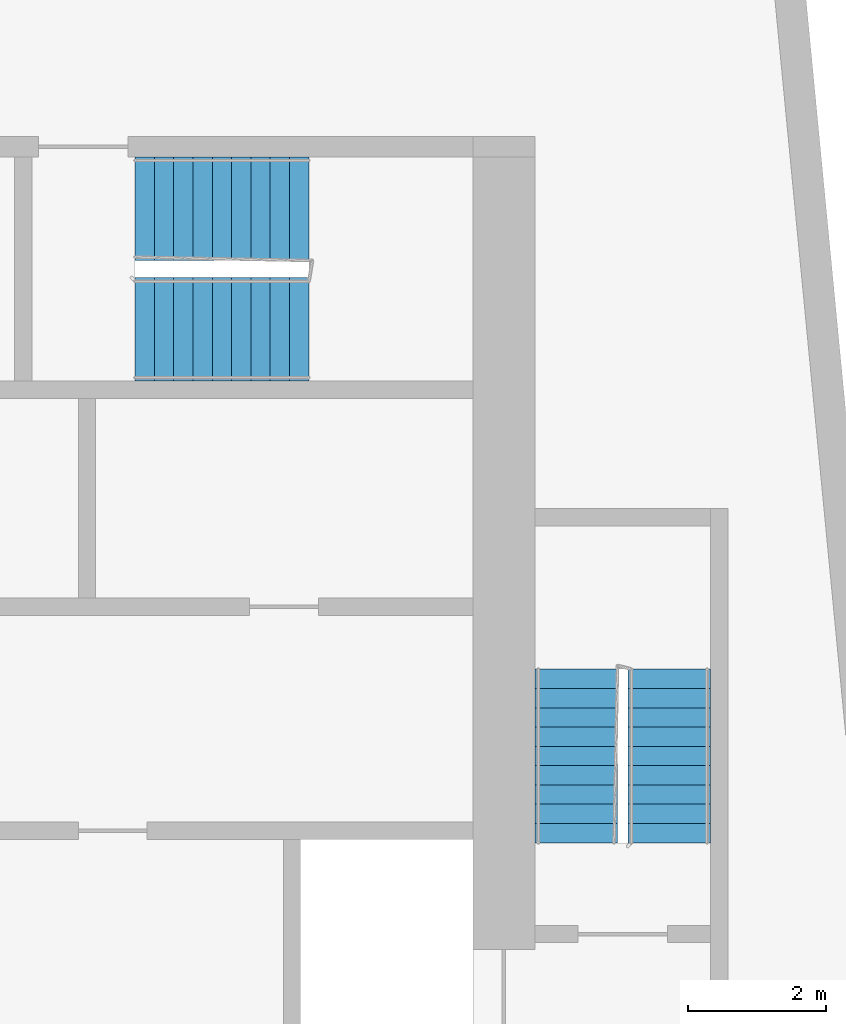
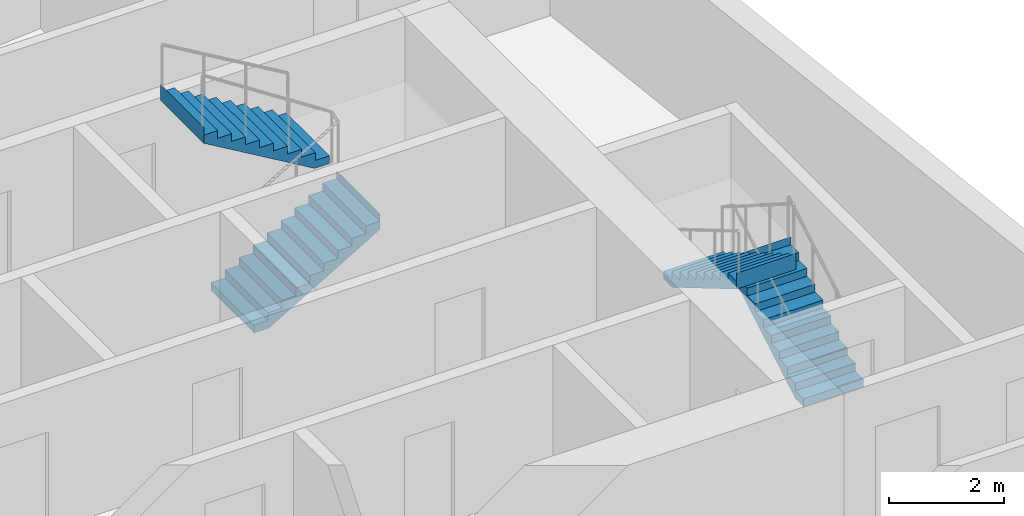
# One storey, part 11 of 12: 4 stair flights, 2 elements without a shape of their own.
"""IFC4 building model written with IfcOpenShell, lengths in metres."""

from ifc_helpers import new_model, si_unit, direction, frame, origin, place, context, subcontext, project, spatial, faceted_brep, material, type_object, element, aggregate, save


model = new_model("IFC4")

# Units and contexts
model_context = context("Model", 3, precision=1e-05, world=origin(), true_north=direction((0.0, 1.0)))
body_context = subcontext(model_context, "Body", "Model", "MODEL_VIEW")
ifc_project = project(units=[si_unit("LENGTHUNIT", "METRE"), si_unit("AREAUNIT", "SQUARE_METRE"), si_unit("VOLUMEUNIT", "CUBIC_METRE"), si_unit("PLANEANGLEUNIT", "RADIAN"), si_unit("MASSUNIT", "GRAM", prefix="KILO")], contexts=[model_context])

# Site, building, storey
site_placement = place(None, origin())
site = spatial("IfcSite", under=ifc_project, at=site_placement, CompositionType="ELEMENT")
building_placement = place(site_placement, origin())
building = spatial("IfcBuilding", under=site, at=building_placement, Name="Kajstack Hotel Tower", CompositionType="ELEMENT")
storey_placement = place(building_placement, frame((0.0, 0.0, 301.5)))
storey = spatial("IfcBuildingStorey", under=building, at=storey_placement, Name="L76", CompositionType="ELEMENT", Elevation=301.5)

# Stair, stair flights
ifc_material = material(Name="Concrete C40/50", Category="concrete")
stair_type_1 = type_object("IfcStairType", Name="Exit stair 1200", PredefinedType="HALF_TURN_STAIR", material=ifc_material)
stair_1_placement = place(storey_placement, origin())
stair_1 = element("IfcStair", 1, at=stair_1_placement, inside=storey, type_object=stair_type_1, Name="L76 stair E1", PredefinedType="HALF_TURN_STAIR")
stair_flight_type_1 = type_object("IfcStairFlightType", Name="Exit stair flight 1200", PredefinedType="STRAIGHT", material=ifc_material)
stair_flight_1_placement = place(storey_placement, frame((33.449951171875, 5.25, 0.0), z_axis=(0.0, 0.0, 1.0), x_axis=(0.0, 1.0, 0.0)))
stair_flight_1 = element("IfcStairFlight", 2, at=stair_flight_1_placement, type_object=stair_flight_type_1, Name="E1 flight 1", NumberOfRisers=10, NumberOfTreads=9, PredefinedType="STRAIGHT", RiserHeight=0.165, TreadLength=0.28, context=body_context, shape_type="Brep", body=[
    faceted_brep([(0.295654296875, -0.60009765625, 0.0), (2.5205078125, -0.60009765625, 1.31103515625), (2.5205078125, -0.60009765625, 1.64990234375), (2.52001953125, -0.60009765625, 1.64990234375), (2.52001953125, -0.60009765625, 1.485107421875), (2.239990234375, -0.60009765625, 1.485107421875), (2.239990234375, -0.60009765625, 1.320068359375), (1.9599609375, -0.60009765625, 1.320068359375), (1.9599609375, -0.60009765625, 1.155029296875), (1.679931640625, -0.60009765625, 1.155029296875), (1.679931640625, -0.60009765625, 0.989990234375), (1.39990234375, -0.60009765625, 0.989990234375), (1.39990234375, -0.60009765625, 0.824951171875), (1.1201171875, -0.60009765625, 0.824951171875), (1.1201171875, -0.60009765625, 0.659912109375), (0.840087890625, -0.60009765625, 0.659912109375), (0.840087890625, -0.60009765625, 0.4951171875), (0.56005859375, -0.60009765625, 0.4951171875), (0.56005859375, -0.60009765625, 0.330078125), (0.280029296875, -0.60009765625, 0.330078125), (0.280029296875, -0.60009765625, 0.1650390625), (-0.00048828125, -0.60009765625, 0.1650390625), (-0.00048828125, -0.60009765625, 0.0), (-0.00048828125, 0.60009765625, 0.0), (-0.00048828125, 0.60009765625, 0.1650390625), (0.280029296875, 0.60009765625, 0.1650390625), (0.280029296875, 0.60009765625, 0.330078125), (0.56005859375, 0.60009765625, 0.330078125), (0.56005859375, 0.60009765625, 0.4951171875), (0.840087890625, 0.60009765625, 0.4951171875), (0.840087890625, 0.60009765625, 0.659912109375), (1.1201171875, 0.60009765625, 0.659912109375), (1.1201171875, 0.60009765625, 0.824951171875), (1.39990234375, 0.60009765625, 0.824951171875), (1.39990234375, 0.60009765625, 0.989990234375), (1.679931640625, 0.60009765625, 0.989990234375), (1.679931640625, 0.60009765625, 1.155029296875), (1.9599609375, 0.60009765625, 1.155029296875), (1.9599609375, 0.60009765625, 1.320068359375), (2.239990234375, 0.60009765625, 1.320068359375), (2.239990234375, 0.60009765625, 1.485107421875), (2.52001953125, 0.60009765625, 1.485107421875), (2.52001953125, 0.60009765625, 1.64990234375), (2.5205078125, 0.60009765625, 1.64990234375), (2.5205078125, 0.60009765625, 1.31103515625), (0.295654296875, 0.60009765625, 0.0), (-0.00048828125, -0.300048828125, 0.1650390625), (-0.00048828125, 0.0, 0.1650390625), (-0.00048828125, 0.300048828125, 0.1650390625), (-0.00048828125, 0.300048828125, 0.0), (-0.00048828125, 0.0, 0.0), (-0.00048828125, -0.300048828125, 0.0), (0.280029296875, -0.300048828125, 0.1650390625), (0.280029296875, 0.0, 0.1650390625), (0.280029296875, 0.300048828125, 0.1650390625), (0.280029296875, -0.300048828125, 0.330078125), (0.280029296875, 0.0, 0.330078125), (0.280029296875, 0.300048828125, 0.330078125), (0.56005859375, -0.300048828125, 0.330078125), (0.56005859375, 0.0, 0.330078125), (0.56005859375, 0.300048828125, 0.330078125), (0.56005859375, -0.300048828125, 0.4951171875), (0.56005859375, 0.0, 0.4951171875), (0.56005859375, 0.300048828125, 0.4951171875), (0.840087890625, -0.300048828125, 0.4951171875), (0.840087890625, 0.0, 0.4951171875), (0.840087890625, 0.300048828125, 0.4951171875), (0.840087890625, -0.300048828125, 0.659912109375), (0.840087890625, 0.0, 0.659912109375), (0.840087890625, 0.300048828125, 0.659912109375), (1.1201171875, -0.300048828125, 0.659912109375), (1.1201171875, 0.0, 0.659912109375), (1.1201171875, 0.300048828125, 0.659912109375), (1.1201171875, -0.300048828125, 0.824951171875), (1.1201171875, 0.0, 0.824951171875), (1.1201171875, 0.300048828125, 0.824951171875), (1.39990234375, -0.300048828125, 0.824951171875), (1.39990234375, 0.0, 0.824951171875), (1.39990234375, 0.300048828125, 0.824951171875), (1.39990234375, -0.300048828125, 0.989990234375), (1.39990234375, 0.0, 0.989990234375), (1.39990234375, 0.300048828125, 0.989990234375), (1.679931640625, -0.300048828125, 0.989990234375), (1.679931640625, 0.0, 0.989990234375), (1.679931640625, 0.300048828125, 0.989990234375), (1.679931640625, -0.300048828125, 1.155029296875), (1.679931640625, 0.0, 1.155029296875), (1.679931640625, 0.300048828125, 1.155029296875), (1.9599609375, -0.300048828125, 1.155029296875), (1.9599609375, 0.0, 1.155029296875), (1.9599609375, 0.300048828125, 1.155029296875), (1.9599609375, -0.300048828125, 1.320068359375), (1.9599609375, 0.0, 1.320068359375), (1.9599609375, 0.300048828125, 1.320068359375), (2.239990234375, -0.300048828125, 1.320068359375), (2.239990234375, 0.0, 1.320068359375), (2.239990234375, 0.300048828125, 1.320068359375), (2.239990234375, -0.300048828125, 1.485107421875), (2.239990234375, 0.0, 1.485107421875), (2.239990234375, 0.300048828125, 1.485107421875), (2.52001953125, -0.300048828125, 1.485107421875), (2.52001953125, 0.0, 1.485107421875), (2.52001953125, 0.300048828125, 1.485107421875), (2.52001953125, -0.300048828125, 1.64990234375), (2.52001953125, 0.0, 1.64990234375), (2.52001953125, 0.300048828125, 1.64990234375), (2.5205078125, -0.300048828125, 1.64990234375), (2.5205078125, 0.0, 1.64990234375), (2.5205078125, 0.300048828125, 1.64990234375), (2.5205078125, -0.300048828125, 1.31103515625), (2.5205078125, 0.0, 1.31103515625), (2.5205078125, 0.300048828125, 1.31103515625), (0.295654296875, -0.300048828125, 0.0), (0.295654296875, 0.0, 0.0), (0.295654296875, 0.300048828125, 0.0)], [[[0, 1, 2, 3, 4, 5, 6, 7, 8, 9, 10, 11, 12, 13, 14, 15, 16, 17, 18, 19, 20, 21, 22]], [[23, 24, 25, 26, 27, 28, 29, 30, 31, 32, 33, 34, 35, 36, 37, 38, 39, 40, 41, 42, 43, 44, 45]], [[21, 46, 47, 48, 24, 23, 49, 50, 51, 22]], [[20, 52, 53, 54, 25, 24, 48, 47, 46, 21]], [[19, 55, 56, 57, 26, 25, 54, 53, 52, 20]], [[18, 58, 59, 60, 27, 26, 57, 56, 55, 19]], [[17, 61, 62, 63, 28, 27, 60, 59, 58, 18]], [[16, 64, 65, 66, 29, 28, 63, 62, 61, 17]], [[15, 67, 68, 69, 30, 29, 66, 65, 64, 16]], [[14, 70, 71, 72, 31, 30, 69, 68, 67, 15]], [[13, 73, 74, 75, 32, 31, 72, 71, 70, 14]], [[12, 76, 77, 78, 33, 32, 75, 74, 73, 13]], [[11, 79, 80, 81, 34, 33, 78, 77, 76, 12]], [[10, 82, 83, 84, 35, 34, 81, 80, 79, 11]], [[9, 85, 86, 87, 36, 35, 84, 83, 82, 10]], [[8, 88, 89, 90, 37, 36, 87, 86, 85, 9]], [[7, 91, 92, 93, 38, 37, 90, 89, 88, 8]], [[6, 94, 95, 96, 39, 38, 93, 92, 91, 7]], [[5, 97, 98, 99, 40, 39, 96, 95, 94, 6]], [[4, 100, 101, 102, 41, 40, 99, 98, 97, 5]], [[3, 103, 104, 105, 42, 41, 102, 101, 100, 4]], [[2, 106, 107, 108, 43, 42, 105, 104, 103, 3]], [[1, 109, 110, 111, 44, 43, 108, 107, 106, 2]], [[0, 112, 113, 114, 45, 44, 111, 110, 109, 1]], [[22, 51, 50, 49, 23, 45, 114, 113, 112, 0]]]),
])
stair_flight_2_placement = place(storey_placement, frame((32.10009765625, 7.77001953125, 1.64990234375), z_axis=(0.0, 0.0, 1.0), x_axis=(0.0, -1.0, 0.0)))
stair_flight_2 = element("IfcStairFlight", 3, at=stair_flight_2_placement, type_object=stair_flight_type_1, Name="E1 flight 2", NumberOfRisers=10, NumberOfTreads=9, PredefinedType="STRAIGHT", RiserHeight=0.165, TreadLength=0.28, context=body_context, shape_type="Brep", body=[
    faceted_brep([(0.295654296875, -0.60009765625, 0.0), (2.5205078125, -0.60009765625, 1.31103515625), (2.5205078125, -0.60009765625, 1.64990234375), (2.52001953125, -0.60009765625, 1.64990234375), (2.52001953125, -0.60009765625, 1.485107421875), (2.239990234375, -0.60009765625, 1.485107421875), (2.239990234375, -0.60009765625, 1.320068359375), (1.9599609375, -0.60009765625, 1.320068359375), (1.9599609375, -0.60009765625, 1.155029296875), (1.679931640625, -0.60009765625, 1.155029296875), (1.679931640625, -0.60009765625, 0.989990234375), (1.39990234375, -0.60009765625, 0.989990234375), (1.39990234375, -0.60009765625, 0.824951171875), (1.1201171875, -0.60009765625, 0.824951171875), (1.1201171875, -0.60009765625, 0.659912109375), (0.840087890625, -0.60009765625, 0.659912109375), (0.840087890625, -0.60009765625, 0.4951171875), (0.56005859375, -0.60009765625, 0.4951171875), (0.56005859375, -0.60009765625, 0.330078125), (0.280029296875, -0.60009765625, 0.330078125), (0.280029296875, -0.60009765625, 0.1650390625), (-0.00048828125, -0.60009765625, 0.1650390625), (-0.00048828125, -0.60009765625, 0.0), (-0.00048828125, 0.60009765625, 0.0), (-0.00048828125, 0.60009765625, 0.1650390625), (0.280029296875, 0.60009765625, 0.1650390625), (0.280029296875, 0.60009765625, 0.330078125), (0.56005859375, 0.60009765625, 0.330078125), (0.56005859375, 0.60009765625, 0.4951171875), (0.840087890625, 0.60009765625, 0.4951171875), (0.840087890625, 0.60009765625, 0.659912109375), (1.1201171875, 0.60009765625, 0.659912109375), (1.1201171875, 0.60009765625, 0.824951171875), (1.39990234375, 0.60009765625, 0.824951171875), (1.39990234375, 0.60009765625, 0.989990234375), (1.679931640625, 0.60009765625, 0.989990234375), (1.679931640625, 0.60009765625, 1.155029296875), (1.9599609375, 0.60009765625, 1.155029296875), (1.9599609375, 0.60009765625, 1.320068359375), (2.239990234375, 0.60009765625, 1.320068359375), (2.239990234375, 0.60009765625, 1.485107421875), (2.52001953125, 0.60009765625, 1.485107421875), (2.52001953125, 0.60009765625, 1.64990234375), (2.5205078125, 0.60009765625, 1.64990234375), (2.5205078125, 0.60009765625, 1.31103515625), (0.295654296875, 0.60009765625, 0.0), (-0.00048828125, -0.300048828125, 0.1650390625), (-0.00048828125, 0.0, 0.1650390625), (-0.00048828125, 0.300048828125, 0.1650390625), (-0.00048828125, 0.300048828125, 0.0), (-0.00048828125, 0.0, 0.0), (-0.00048828125, -0.300048828125, 0.0), (0.280029296875, -0.300048828125, 0.1650390625), (0.280029296875, 0.0, 0.1650390625), (0.280029296875, 0.300048828125, 0.1650390625), (0.280029296875, -0.300048828125, 0.330078125), (0.280029296875, 0.0, 0.330078125), (0.280029296875, 0.300048828125, 0.330078125), (0.56005859375, -0.300048828125, 0.330078125), (0.56005859375, 0.0, 0.330078125), (0.56005859375, 0.300048828125, 0.330078125), (0.56005859375, -0.300048828125, 0.4951171875), (0.56005859375, 0.0, 0.4951171875), (0.56005859375, 0.300048828125, 0.4951171875), (0.840087890625, -0.300048828125, 0.4951171875), (0.840087890625, 0.0, 0.4951171875), (0.840087890625, 0.300048828125, 0.4951171875), (0.840087890625, -0.300048828125, 0.659912109375), (0.840087890625, 0.0, 0.659912109375), (0.840087890625, 0.300048828125, 0.659912109375), (1.1201171875, -0.300048828125, 0.659912109375), (1.1201171875, 0.0, 0.659912109375), (1.1201171875, 0.300048828125, 0.659912109375), (1.1201171875, -0.300048828125, 0.824951171875), (1.1201171875, 0.0, 0.824951171875), (1.1201171875, 0.300048828125, 0.824951171875), (1.39990234375, -0.300048828125, 0.824951171875), (1.39990234375, 0.0, 0.824951171875), (1.39990234375, 0.300048828125, 0.824951171875), (1.39990234375, -0.300048828125, 0.989990234375), (1.39990234375, 0.0, 0.989990234375), (1.39990234375, 0.300048828125, 0.989990234375), (1.679931640625, -0.300048828125, 0.989990234375), (1.679931640625, 0.0, 0.989990234375), (1.679931640625, 0.300048828125, 0.989990234375), (1.679931640625, -0.300048828125, 1.155029296875), (1.679931640625, 0.0, 1.155029296875), (1.679931640625, 0.300048828125, 1.155029296875), (1.9599609375, -0.300048828125, 1.155029296875), (1.9599609375, 0.0, 1.155029296875), (1.9599609375, 0.300048828125, 1.155029296875), (1.9599609375, -0.300048828125, 1.320068359375), (1.9599609375, 0.0, 1.320068359375), (1.9599609375, 0.300048828125, 1.320068359375), (2.239990234375, -0.300048828125, 1.320068359375), (2.239990234375, 0.0, 1.320068359375), (2.239990234375, 0.300048828125, 1.320068359375), (2.239990234375, -0.300048828125, 1.485107421875), (2.239990234375, 0.0, 1.485107421875), (2.239990234375, 0.300048828125, 1.485107421875), (2.52001953125, -0.300048828125, 1.485107421875), (2.52001953125, 0.0, 1.485107421875), (2.52001953125, 0.300048828125, 1.485107421875), (2.52001953125, -0.300048828125, 1.64990234375), (2.52001953125, 0.0, 1.64990234375), (2.52001953125, 0.300048828125, 1.64990234375), (2.5205078125, -0.300048828125, 1.64990234375), (2.5205078125, 0.0, 1.64990234375), (2.5205078125, 0.300048828125, 1.64990234375), (2.5205078125, -0.300048828125, 1.31103515625), (2.5205078125, 0.0, 1.31103515625), (2.5205078125, 0.300048828125, 1.31103515625), (0.295654296875, -0.300048828125, 0.0), (0.295654296875, 0.0, 0.0), (0.295654296875, 0.300048828125, 0.0)], [[[0, 1, 2, 3, 4, 5, 6, 7, 8, 9, 10, 11, 12, 13, 14, 15, 16, 17, 18, 19, 20, 21, 22]], [[23, 24, 25, 26, 27, 28, 29, 30, 31, 32, 33, 34, 35, 36, 37, 38, 39, 40, 41, 42, 43, 44, 45]], [[21, 46, 47, 48, 24, 23, 49, 50, 51, 22]], [[20, 52, 53, 54, 25, 24, 48, 47, 46, 21]], [[19, 55, 56, 57, 26, 25, 54, 53, 52, 20]], [[18, 58, 59, 60, 27, 26, 57, 56, 55, 19]], [[17, 61, 62, 63, 28, 27, 60, 59, 58, 18]], [[16, 64, 65, 66, 29, 28, 63, 62, 61, 17]], [[15, 67, 68, 69, 30, 29, 66, 65, 64, 16]], [[14, 70, 71, 72, 31, 30, 69, 68, 67, 15]], [[13, 73, 74, 75, 32, 31, 72, 71, 70, 14]], [[12, 76, 77, 78, 33, 32, 75, 74, 73, 13]], [[11, 79, 80, 81, 34, 33, 78, 77, 76, 12]], [[10, 82, 83, 84, 35, 34, 81, 80, 79, 11]], [[9, 85, 86, 87, 36, 35, 84, 83, 82, 10]], [[8, 88, 89, 90, 37, 36, 87, 86, 85, 9]], [[7, 91, 92, 93, 38, 37, 90, 89, 88, 8]], [[6, 94, 95, 96, 39, 38, 93, 92, 91, 7]], [[5, 97, 98, 99, 40, 39, 96, 95, 94, 6]], [[4, 100, 101, 102, 41, 40, 99, 98, 97, 5]], [[3, 103, 104, 105, 42, 41, 102, 101, 100, 4]], [[2, 106, 107, 108, 43, 42, 105, 104, 103, 3]], [[1, 109, 110, 111, 44, 43, 108, 107, 106, 2]], [[0, 112, 113, 114, 45, 44, 111, 110, 109, 1]], [[22, 51, 50, 49, 23, 45, 114, 113, 112, 0]]]),
])
aggregate(stair_1, [stair_flight_1, stair_flight_2])

stair_type_2 = type_object("IfcStairType", Name="Exit stair 1500", PredefinedType="HALF_TURN_STAIR", material=ifc_material)
stair_2_placement = place(storey_placement, origin())
stair_2 = element("IfcStair", 4, at=stair_2_placement, inside=storey, type_object=stair_type_2, Name="L76 stair E3", PredefinedType="HALF_TURN_STAIR")
stair_flight_type_2 = type_object("IfcStairFlightType", Name="Exit stair flight 1500", PredefinedType="STRAIGHT", material=ifc_material)
stair_flight_3_placement = place(storey_placement, frame((25.699951171875, 12.699951171875, 0.0), z_axis=(0.0, 0.0, 1.0), x_axis=(1.0, 0.0, 0.0)))
stair_flight_3 = element("IfcStairFlight", 5, at=stair_flight_3_placement, type_object=stair_flight_type_2, Name="E3 flight 1", NumberOfRisers=10, NumberOfTreads=9, PredefinedType="STRAIGHT", RiserHeight=0.165, TreadLength=0.28, context=body_context, shape_type="Brep", body=[
    faceted_brep([(0.295654296875, -0.75, 0.0), (2.5205078125, -0.75, 1.31103515625), (2.5205078125, -0.75, 1.64990234375), (2.52001953125, -0.75, 1.64990234375), (2.52001953125, -0.75, 1.485107421875), (2.239990234375, -0.75, 1.485107421875), (2.239990234375, -0.75, 1.320068359375), (1.9599609375, -0.75, 1.320068359375), (1.9599609375, -0.75, 1.155029296875), (1.679931640625, -0.75, 1.155029296875), (1.679931640625, -0.75, 0.989990234375), (1.39990234375, -0.75, 0.989990234375), (1.39990234375, -0.75, 0.824951171875), (1.1201171875, -0.75, 0.824951171875), (1.1201171875, -0.75, 0.659912109375), (0.840087890625, -0.75, 0.659912109375), (0.840087890625, -0.75, 0.4951171875), (0.56005859375, -0.75, 0.4951171875), (0.56005859375, -0.75, 0.330078125), (0.280029296875, -0.75, 0.330078125), (0.280029296875, -0.75, 0.1650390625), (-0.00048828125, -0.75, 0.1650390625), (-0.00048828125, -0.75, 0.0), (-0.00048828125, 0.75, 0.0), (-0.00048828125, 0.75, 0.1650390625), (0.280029296875, 0.75, 0.1650390625), (0.280029296875, 0.75, 0.330078125), (0.56005859375, 0.75, 0.330078125), (0.56005859375, 0.75, 0.4951171875), (0.840087890625, 0.75, 0.4951171875), (0.840087890625, 0.75, 0.659912109375), (1.1201171875, 0.75, 0.659912109375), (1.1201171875, 0.75, 0.824951171875), (1.39990234375, 0.75, 0.824951171875), (1.39990234375, 0.75, 0.989990234375), (1.679931640625, 0.75, 0.989990234375), (1.679931640625, 0.75, 1.155029296875), (1.9599609375, 0.75, 1.155029296875), (1.9599609375, 0.75, 1.320068359375), (2.239990234375, 0.75, 1.320068359375), (2.239990234375, 0.75, 1.485107421875), (2.52001953125, 0.75, 1.485107421875), (2.52001953125, 0.75, 1.64990234375), (2.5205078125, 0.75, 1.64990234375), (2.5205078125, 0.75, 1.31103515625), (0.295654296875, 0.75, 0.0), (-0.00048828125, -0.375, 0.1650390625), (-0.00048828125, 0.0, 0.1650390625), (-0.00048828125, 0.375, 0.1650390625), (-0.00048828125, 0.375, 0.0), (-0.00048828125, 0.0, 0.0), (-0.00048828125, -0.375, 0.0), (0.280029296875, -0.375, 0.1650390625), (0.280029296875, 0.0, 0.1650390625), (0.280029296875, 0.375, 0.1650390625), (0.280029296875, -0.375, 0.330078125), (0.280029296875, 0.0, 0.330078125), (0.280029296875, 0.375, 0.330078125), (0.56005859375, -0.375, 0.330078125), (0.56005859375, 0.0, 0.330078125), (0.56005859375, 0.375, 0.330078125), (0.56005859375, -0.375, 0.4951171875), (0.56005859375, 0.0, 0.4951171875), (0.56005859375, 0.375, 0.4951171875), (0.840087890625, -0.375, 0.4951171875), (0.840087890625, 0.0, 0.4951171875), (0.840087890625, 0.375, 0.4951171875), (0.840087890625, -0.375, 0.659912109375), (0.840087890625, 0.0, 0.659912109375), (0.840087890625, 0.375, 0.659912109375), (1.1201171875, -0.375, 0.659912109375), (1.1201171875, 0.0, 0.659912109375), (1.1201171875, 0.375, 0.659912109375), (1.1201171875, -0.375, 0.824951171875), (1.1201171875, 0.0, 0.824951171875), (1.1201171875, 0.375, 0.824951171875), (1.39990234375, -0.375, 0.824951171875), (1.39990234375, 0.0, 0.824951171875), (1.39990234375, 0.375, 0.824951171875), (1.39990234375, -0.375, 0.989990234375), (1.39990234375, 0.0, 0.989990234375), (1.39990234375, 0.375, 0.989990234375), (1.679931640625, -0.375, 0.989990234375), (1.679931640625, 0.0, 0.989990234375), (1.679931640625, 0.375, 0.989990234375), (1.679931640625, -0.375, 1.155029296875), (1.679931640625, 0.0, 1.155029296875), (1.679931640625, 0.375, 1.155029296875), (1.9599609375, -0.375, 1.155029296875), (1.9599609375, 0.0, 1.155029296875), (1.9599609375, 0.375, 1.155029296875), (1.9599609375, -0.375, 1.320068359375), (1.9599609375, 0.0, 1.320068359375), (1.9599609375, 0.375, 1.320068359375), (2.239990234375, -0.375, 1.320068359375), (2.239990234375, 0.0, 1.320068359375), (2.239990234375, 0.375, 1.320068359375), (2.239990234375, -0.375, 1.485107421875), (2.239990234375, 0.0, 1.485107421875), (2.239990234375, 0.375, 1.485107421875), (2.52001953125, -0.375, 1.485107421875), (2.52001953125, 0.0, 1.485107421875), (2.52001953125, 0.375, 1.485107421875), (2.52001953125, -0.375, 1.64990234375), (2.52001953125, 0.0, 1.64990234375), (2.52001953125, 0.375, 1.64990234375), (2.5205078125, -0.375, 1.64990234375), (2.5205078125, 0.0, 1.64990234375), (2.5205078125, 0.375, 1.64990234375), (2.5205078125, -0.375, 1.31103515625), (2.5205078125, 0.0, 1.31103515625), (2.5205078125, 0.375, 1.31103515625), (0.295654296875, -0.375, 0.0), (0.295654296875, 0.0, 0.0), (0.295654296875, 0.375, 0.0)], [[[0, 1, 2, 3, 4, 5, 6, 7, 8, 9, 10, 11, 12, 13, 14, 15, 16, 17, 18, 19, 20, 21, 22]], [[23, 24, 25, 26, 27, 28, 29, 30, 31, 32, 33, 34, 35, 36, 37, 38, 39, 40, 41, 42, 43, 44, 45]], [[21, 46, 47, 48, 24, 23, 49, 50, 51, 22]], [[20, 52, 53, 54, 25, 24, 48, 47, 46, 21]], [[19, 55, 56, 57, 26, 25, 54, 53, 52, 20]], [[18, 58, 59, 60, 27, 26, 57, 56, 55, 19]], [[17, 61, 62, 63, 28, 27, 60, 59, 58, 18]], [[16, 64, 65, 66, 29, 28, 63, 62, 61, 17]], [[15, 67, 68, 69, 30, 29, 66, 65, 64, 16]], [[14, 70, 71, 72, 31, 30, 69, 68, 67, 15]], [[13, 73, 74, 75, 32, 31, 72, 71, 70, 14]], [[12, 76, 77, 78, 33, 32, 75, 74, 73, 13]], [[11, 79, 80, 81, 34, 33, 78, 77, 76, 12]], [[10, 82, 83, 84, 35, 34, 81, 80, 79, 11]], [[9, 85, 86, 87, 36, 35, 84, 83, 82, 10]], [[8, 88, 89, 90, 37, 36, 87, 86, 85, 9]], [[7, 91, 92, 93, 38, 37, 90, 89, 88, 8]], [[6, 94, 95, 96, 39, 38, 93, 92, 91, 7]], [[5, 97, 98, 99, 40, 39, 96, 95, 94, 6]], [[4, 100, 101, 102, 41, 40, 99, 98, 97, 5]], [[3, 103, 104, 105, 42, 41, 102, 101, 100, 4]], [[2, 106, 107, 108, 43, 42, 105, 104, 103, 3]], [[1, 109, 110, 111, 44, 43, 108, 107, 106, 2]], [[0, 112, 113, 114, 45, 44, 111, 110, 109, 1]], [[22, 51, 50, 49, 23, 45, 114, 113, 112, 0]]]),
])
stair_flight_4_placement = place(storey_placement, frame((28.219970703125, 14.449951171875, 1.64990234375), z_axis=(0.0, 0.0, 1.0), x_axis=(-1.0, 0.0, 0.0)))
stair_flight_4 = element("IfcStairFlight", 6, at=stair_flight_4_placement, type_object=stair_flight_type_2, Name="E3 flight 2", NumberOfRisers=10, NumberOfTreads=9, PredefinedType="STRAIGHT", RiserHeight=0.165, TreadLength=0.28, context=body_context, shape_type="Brep", body=[
    faceted_brep([(0.295654296875, -0.75, 0.0), (2.5205078125, -0.75, 1.31103515625), (2.5205078125, -0.75, 1.64990234375), (2.52001953125, -0.75, 1.64990234375), (2.52001953125, -0.75, 1.485107421875), (2.239990234375, -0.75, 1.485107421875), (2.239990234375, -0.75, 1.320068359375), (1.9599609375, -0.75, 1.320068359375), (1.9599609375, -0.75, 1.155029296875), (1.679931640625, -0.75, 1.155029296875), (1.679931640625, -0.75, 0.989990234375), (1.39990234375, -0.75, 0.989990234375), (1.39990234375, -0.75, 0.824951171875), (1.1201171875, -0.75, 0.824951171875), (1.1201171875, -0.75, 0.659912109375), (0.840087890625, -0.75, 0.659912109375), (0.840087890625, -0.75, 0.4951171875), (0.56005859375, -0.75, 0.4951171875), (0.56005859375, -0.75, 0.330078125), (0.280029296875, -0.75, 0.330078125), (0.280029296875, -0.75, 0.1650390625), (-0.00048828125, -0.75, 0.1650390625), (-0.00048828125, -0.75, 0.0), (-0.00048828125, 0.75, 0.0), (-0.00048828125, 0.75, 0.1650390625), (0.280029296875, 0.75, 0.1650390625), (0.280029296875, 0.75, 0.330078125), (0.56005859375, 0.75, 0.330078125), (0.56005859375, 0.75, 0.4951171875), (0.840087890625, 0.75, 0.4951171875), (0.840087890625, 0.75, 0.659912109375), (1.1201171875, 0.75, 0.659912109375), (1.1201171875, 0.75, 0.824951171875), (1.39990234375, 0.75, 0.824951171875), (1.39990234375, 0.75, 0.989990234375), (1.679931640625, 0.75, 0.989990234375), (1.679931640625, 0.75, 1.155029296875), (1.9599609375, 0.75, 1.155029296875), (1.9599609375, 0.75, 1.320068359375), (2.239990234375, 0.75, 1.320068359375), (2.239990234375, 0.75, 1.485107421875), (2.52001953125, 0.75, 1.485107421875), (2.52001953125, 0.75, 1.64990234375), (2.5205078125, 0.75, 1.64990234375), (2.5205078125, 0.75, 1.31103515625), (0.295654296875, 0.75, 0.0), (-0.00048828125, -0.375, 0.1650390625), (-0.00048828125, 0.0, 0.1650390625), (-0.00048828125, 0.375, 0.1650390625), (-0.00048828125, 0.375, 0.0), (-0.00048828125, 0.0, 0.0), (-0.00048828125, -0.375, 0.0), (0.280029296875, -0.375, 0.1650390625), (0.280029296875, 0.0, 0.1650390625), (0.280029296875, 0.375, 0.1650390625), (0.280029296875, -0.375, 0.330078125), (0.280029296875, 0.0, 0.330078125), (0.280029296875, 0.375, 0.330078125), (0.56005859375, -0.375, 0.330078125), (0.56005859375, 0.0, 0.330078125), (0.56005859375, 0.375, 0.330078125), (0.56005859375, -0.375, 0.4951171875), (0.56005859375, 0.0, 0.4951171875), (0.56005859375, 0.375, 0.4951171875), (0.840087890625, -0.375, 0.4951171875), (0.840087890625, 0.0, 0.4951171875), (0.840087890625, 0.375, 0.4951171875), (0.840087890625, -0.375, 0.659912109375), (0.840087890625, 0.0, 0.659912109375), (0.840087890625, 0.375, 0.659912109375), (1.1201171875, -0.375, 0.659912109375), (1.1201171875, 0.0, 0.659912109375), (1.1201171875, 0.375, 0.659912109375), (1.1201171875, -0.375, 0.824951171875), (1.1201171875, 0.0, 0.824951171875), (1.1201171875, 0.375, 0.824951171875), (1.39990234375, -0.375, 0.824951171875), (1.39990234375, 0.0, 0.824951171875), (1.39990234375, 0.375, 0.824951171875), (1.39990234375, -0.375, 0.989990234375), (1.39990234375, 0.0, 0.989990234375), (1.39990234375, 0.375, 0.989990234375), (1.679931640625, -0.375, 0.989990234375), (1.679931640625, 0.0, 0.989990234375), (1.679931640625, 0.375, 0.989990234375), (1.679931640625, -0.375, 1.155029296875), (1.679931640625, 0.0, 1.155029296875), (1.679931640625, 0.375, 1.155029296875), (1.9599609375, -0.375, 1.155029296875), (1.9599609375, 0.0, 1.155029296875), (1.9599609375, 0.375, 1.155029296875), (1.9599609375, -0.375, 1.320068359375), (1.9599609375, 0.0, 1.320068359375), (1.9599609375, 0.375, 1.320068359375), (2.239990234375, -0.375, 1.320068359375), (2.239990234375, 0.0, 1.320068359375), (2.239990234375, 0.375, 1.320068359375), (2.239990234375, -0.375, 1.485107421875), (2.239990234375, 0.0, 1.485107421875), (2.239990234375, 0.375, 1.485107421875), (2.52001953125, -0.375, 1.485107421875), (2.52001953125, 0.0, 1.485107421875), (2.52001953125, 0.375, 1.485107421875), (2.52001953125, -0.375, 1.64990234375), (2.52001953125, 0.0, 1.64990234375), (2.52001953125, 0.375, 1.64990234375), (2.5205078125, -0.375, 1.64990234375), (2.5205078125, 0.0, 1.64990234375), (2.5205078125, 0.375, 1.64990234375), (2.5205078125, -0.375, 1.31103515625), (2.5205078125, 0.0, 1.31103515625), (2.5205078125, 0.375, 1.31103515625), (0.295654296875, -0.375, 0.0), (0.295654296875, 0.0, 0.0), (0.295654296875, 0.375, 0.0)], [[[0, 1, 2, 3, 4, 5, 6, 7, 8, 9, 10, 11, 12, 13, 14, 15, 16, 17, 18, 19, 20, 21, 22]], [[23, 24, 25, 26, 27, 28, 29, 30, 31, 32, 33, 34, 35, 36, 37, 38, 39, 40, 41, 42, 43, 44, 45]], [[21, 46, 47, 48, 24, 23, 49, 50, 51, 22]], [[20, 52, 53, 54, 25, 24, 48, 47, 46, 21]], [[19, 55, 56, 57, 26, 25, 54, 53, 52, 20]], [[18, 58, 59, 60, 27, 26, 57, 56, 55, 19]], [[17, 61, 62, 63, 28, 27, 60, 59, 58, 18]], [[16, 64, 65, 66, 29, 28, 63, 62, 61, 17]], [[15, 67, 68, 69, 30, 29, 66, 65, 64, 16]], [[14, 70, 71, 72, 31, 30, 69, 68, 67, 15]], [[13, 73, 74, 75, 32, 31, 72, 71, 70, 14]], [[12, 76, 77, 78, 33, 32, 75, 74, 73, 13]], [[11, 79, 80, 81, 34, 33, 78, 77, 76, 12]], [[10, 82, 83, 84, 35, 34, 81, 80, 79, 11]], [[9, 85, 86, 87, 36, 35, 84, 83, 82, 10]], [[8, 88, 89, 90, 37, 36, 87, 86, 85, 9]], [[7, 91, 92, 93, 38, 37, 90, 89, 88, 8]], [[6, 94, 95, 96, 39, 38, 93, 92, 91, 7]], [[5, 97, 98, 99, 40, 39, 96, 95, 94, 6]], [[4, 100, 101, 102, 41, 40, 99, 98, 97, 5]], [[3, 103, 104, 105, 42, 41, 102, 101, 100, 4]], [[2, 106, 107, 108, 43, 42, 105, 104, 103, 3]], [[1, 109, 110, 111, 44, 43, 108, 107, 106, 2]], [[0, 112, 113, 114, 45, 44, 111, 110, 109, 1]], [[22, 51, 50, 49, 23, 45, 114, 113, 112, 0]]]),
])
aggregate(stair_2, [stair_flight_3, stair_flight_4])

save(model, "model.ifc")
